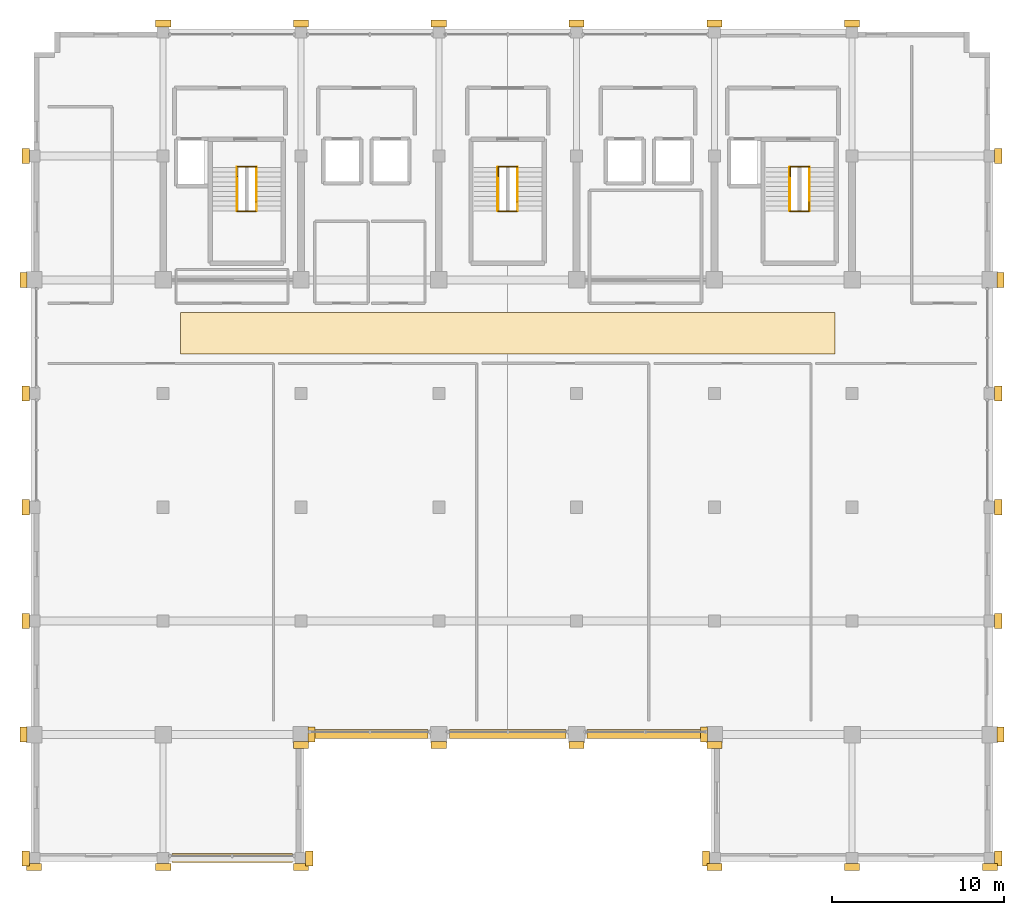
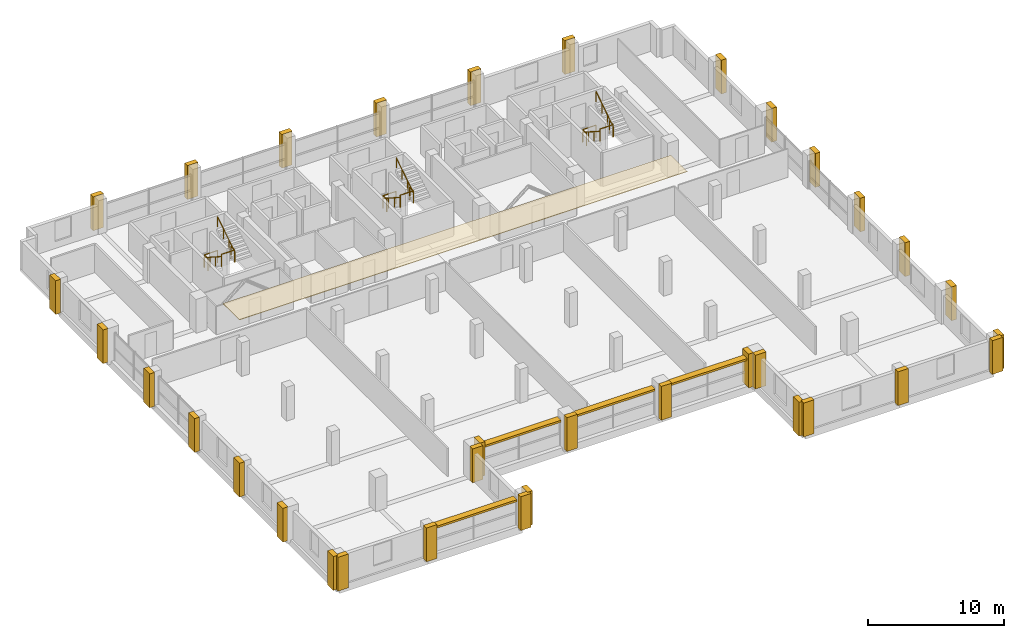
# One storey, part 25 of 25: 35 coverings, 12 railings, 4 shading devices.
"""IFC4 building model written with IfcOpenShell, lengths in metres."""

from ifc_helpers import new_model, si_unit, direction, frame, origin, origin_2d, place, context, subcontext, project, spatial, rectangle, circle, extrude, material, layer, layer_set, type_object, element, save


model = new_model("IFC4")

# Units and contexts
model_context = context("Model", 3, precision=1e-05, world=origin(), true_north=direction((0.0, 1.0)))
body_context = subcontext(model_context, "Body", "Model", "MODEL_VIEW")
ifc_project = project(units=[si_unit("LENGTHUNIT", "METRE"), si_unit("AREAUNIT", "SQUARE_METRE"), si_unit("VOLUMEUNIT", "CUBIC_METRE"), si_unit("PLANEANGLEUNIT", "RADIAN"), si_unit("MASSUNIT", "GRAM", prefix="KILO")], contexts=[model_context])

# Site, building, storey
site_placement = place(None, origin())
site = spatial("IfcSite", under=ifc_project, at=site_placement, CompositionType="ELEMENT")
building_placement = place(site_placement, origin())
building = spatial("IfcBuilding", under=site, at=building_placement, Name="Akrevak Sports Hall", CompositionType="ELEMENT")
storey_placement = place(building_placement, frame((0.0, 0.0, 50.300048828125)))
storey = spatial("IfcBuildingStorey", under=building, at=storey_placement, Name="L12", CompositionType="ELEMENT", Elevation=50.300048828125)

# Coverings
ifc_material_1 = material(Name="Acoustic Timber Slatted Baffle Ceiling", Category="wood")
ifc_layer_1 = layer(ifc_material_1, 0.050048828125, Name="Acoustic Timber Slatted Baffle Ceiling")
ifc_layer_set_1 = layer_set([ifc_layer_1], Name="Acoustic Timber Slatted Baffle Ceiling")
covering_type_1 = type_object("IfcCoveringType", Name="ARC-COV-CLG-BAFF", PredefinedType="CEILING", material=ifc_layer_set_1)
covering_placement = place(storey_placement, frame((80.0, 52.10009765625, 2.97998046875), z_axis=(0.0, 0.0, 1.0), x_axis=(1.0, 0.0, 0.0)))
element("IfcCovering", 1, at=covering_placement, inside=storey, type_object=covering_type_1, Name="Corridor Acoustic Ceiling L12", PredefinedType="CEILING", context=body_context, shape_type="SweptSolid", body=[
    extrude(rectangle(XDim=38.0, YDim=2.39990234375, at=origin_2d()), origin(), (0.0, 0.0, 1.0), 0.050048828125),
])
ifc_material_2 = material(Name="Limestone Ashlar", Category="stone")
ifc_layer_2 = layer(ifc_material_2, 0.47998046875, Name="Limestone Ashlar")
ifc_layer_set_2 = layer_set([ifc_layer_2], Name="Limestone Ashlar")
covering_type_2 = type_object("IfcCoveringType", Name="ARC-COV-PIL-LIM", PredefinedType="CLADDING", material=ifc_layer_set_2)
for number, where, z_axis, x_axis, name in (
    (2, (52.5, 21.1201171875, 0.0), (0.0, 0.0, 1.0), (1.0, 0.0, 0.0), "Giant-Order Limestone Pilaster L12-01-01"),
    (3, (60.0, 21.1201171875, 0.0), (0.0, 0.0, 1.0), (1.0, 0.0, 0.0), "Giant-Order Limestone Pilaster L12-01-02"),
    (4, (68.0, 21.1201171875, 0.0), (0.0, 0.0, 1.0), (1.0, 0.0, 0.0), "Giant-Order Limestone Pilaster L12-01-03"),
    (5, (68.47998046875, 21.60009765625, 0.0), (0.0, 0.0, 1.0), (0.0, 1.0, 0.0), "Giant-Order Limestone Pilaster L12-02-03"),
    (6, (68.60498046875, 28.800048828125, 0.0), (0.0, 0.0, 1.0), (0.0, 1.0, 0.0), "Giant-Order Limestone Pilaster L12-02-04"),
    (7, (68.0, 28.195068359375, 0.0), (0.0, 0.0, 1.0), (1.0, 0.0, 0.0), "Giant-Order Limestone Pilaster L12-03-04"),
    (8, (76.0, 28.195068359375, 0.0), (0.0, 0.0, 1.0), (1.0, 0.0, 0.0), "Giant-Order Limestone Pilaster L12-03-05"),
    (9, (84.0, 28.195068359375, 0.0), (0.0, 0.0, 1.0), (1.0, 0.0, 0.0), "Giant-Order Limestone Pilaster L12-03-06"),
    (10, (92.0, 28.195068359375, 0.0), (0.0, 0.0, 1.0), (1.0, 0.0, 0.0), "Giant-Order Limestone Pilaster L12-03-07"),
    (11, (91.52001953125, 21.60009765625, 0.0), (0.0, 0.0, 1.0), (0.0, -1.0, 0.0), "Giant-Order Limestone Pilaster L12-04-08"),
    (12, (91.39501953125, 28.800048828125, 0.0), (0.0, 0.0, 1.0), (0.0, -1.0, 0.0), "Giant-Order Limestone Pilaster L12-04-08"),
    (13, (92.0, 21.1201171875, 0.0), (0.0, 0.0, 1.0), (1.0, 0.0, 0.0), "Giant-Order Limestone Pilaster L12-05-08"),
    (14, (100.0, 21.1201171875, 0.0), (0.0, 0.0, 1.0), (1.0, 0.0, 0.0), "Giant-Order Limestone Pilaster L12-05-09"),
    (15, (108.0, 21.1201171875, 0.0), (0.0, 0.0, 1.0), (1.0, 0.0, 0.0), "Giant-Order Limestone Pilaster L12-05-10"),
    (16, (108.47998046875, 21.60009765625, 0.0), (0.0, 0.0, 1.0), (0.0, 1.0, 0.0), "Giant-Order Limestone Pilaster L12-06-10"),
    (17, (108.60498046875, 28.800048828125, 0.0), (0.0, 0.0, 1.0), (0.0, 1.0, 0.0), "Giant-Order Limestone Pilaster L12-06-11"),
    (18, (108.47998046875, 35.39990234375, 0.0), (0.0, 0.0, 1.0), (0.0, 1.0, 0.0), "Giant-Order Limestone Pilaster L12-06-12"),
    (19, (108.47998046875, 42.0, 0.0), (0.0, 0.0, 1.0), (0.0, 1.0, 0.0), "Giant-Order Limestone Pilaster L12-06-13"),
    (20, (108.47998046875, 48.60009765625, 0.0), (0.0, 0.0, 1.0), (0.0, 1.0, 0.0), "Giant-Order Limestone Pilaster L12-06-14"),
    (21, (108.60498046875, 55.199951171875, 0.0), (0.0, 0.0, 1.0), (0.0, 1.0, 0.0), "Giant-Order Limestone Pilaster L12-06-15"),
    (22, (108.47998046875, 62.39990234375, 0.0), (0.0, 0.0, 1.0), (0.0, 1.0, 0.0), "Giant-Order Limestone Pilaster L12-06-16"),
    (23, (60.0, 70.080078125, 0.0), (0.0, 0.0, 1.0), (-1.0, 0.0, 0.0), "Giant-Order Limestone Pilaster L12-09-17"),
    (24, (68.0, 70.080078125, 0.0), (0.0, 0.0, 1.0), (-1.0, 0.0, 0.0), "Giant-Order Limestone Pilaster L12-09-18"),
    (25, (76.0, 70.080078125, 0.0), (0.0, 0.0, 1.0), (-1.0, 0.0, 0.0), "Giant-Order Limestone Pilaster L12-09-19"),
    (26, (84.0, 70.080078125, 0.0), (0.0, 0.0, 1.0), (-1.0, 0.0, 0.0), "Giant-Order Limestone Pilaster L12-09-20"),
    (27, (92.0, 70.080078125, 0.0), (0.0, 0.0, 1.0), (-1.0, 0.0, 0.0), "Giant-Order Limestone Pilaster L12-09-21"),
    (28, (100.0, 70.080078125, 0.0), (0.0, 0.0, 1.0), (-1.0, 0.0, 0.0), "Giant-Order Limestone Pilaster L12-09-22"),
    (29, (52.02001953125, 21.60009765625, 0.0), (0.0, 0.0, 1.0), (0.0, -1.0, 0.0), "Giant-Order Limestone Pilaster L12-12-22"),
    (30, (51.89501953125, 28.800048828125, 0.0), (0.0, 0.0, 1.0), (0.0, -1.0, 0.0), "Giant-Order Limestone Pilaster L12-12-23"),
    (31, (52.02001953125, 35.39990234375, 0.0), (0.0, 0.0, 1.0), (0.0, -1.0, 0.0), "Giant-Order Limestone Pilaster L12-12-24"),
    (32, (52.02001953125, 42.0, 0.0), (0.0, 0.0, 1.0), (0.0, -1.0, 0.0), "Giant-Order Limestone Pilaster L12-12-25"),
    (33, (52.02001953125, 48.60009765625, 0.0), (0.0, 0.0, 1.0), (0.0, -1.0, 0.0), "Giant-Order Limestone Pilaster L12-12-26"),
    (34, (51.89501953125, 55.199951171875, 0.0), (0.0, 0.0, 1.0), (0.0, -1.0, 0.0), "Giant-Order Limestone Pilaster L12-12-27"),
    (35, (52.02001953125, 62.39990234375, 0.0), (0.0, 0.0, 1.0), (0.0, -1.0, 0.0), "Giant-Order Limestone Pilaster L12-12-28"),
):
    element("IfcCovering", number, at=place(storey_placement, frame(where, z_axis=z_axis, x_axis=x_axis)), inside=storey, type_object=covering_type_2, Name=name, PredefinedType="CLADDING", context=body_context, shape_type="SweptSolid", body=[
        extrude(rectangle(XDim=0.8798828125, YDim=0.419921875, at=origin_2d()), origin(), (0.0, 0.0, 1.0), 3.030029296875),
    ])

# Railings
ifc_material_3 = material(Name="Painted Architectural Balustrade Steel", Category="steel")
ifc_layer_3 = layer(ifc_material_3, 0.06005859375, Name="Painted Architectural Balustrade Steel")
ifc_layer_set_3 = layer_set([ifc_layer_3], Name="Painted Architectural Balustrade Steel")
railing_type_1 = type_object("IfcRailingType", Name="ARC-RL-GRD-1120", PredefinedType="GUARDRAIL", material=ifc_layer_set_3)
railing_1_placement = place(storey_placement, frame((64.31005859375, 61.215087890625, 0.0)))
element("IfcRailing", 36, at=railing_1_placement, inside=storey, type_object=railing_type_1, Name="Stair Floor Landing Well Guard ST1 (L12)", PredefinedType="GUARDRAIL", context=body_context, shape_type="SweptSolid", body=[
    extrude(circle(Radius=0.02392578125, at=origin_2d()), frame((0.0, 0.0, 1.09619140625), z_axis=(0.0, 1.0, 0.0), x_axis=(-1.0, 0.0, 0.0)), (0.0, 0.0, 1.0), 0.5498046875),
    extrude(circle(Radius=0.02392578125, at=origin_2d()), frame((0.0, 0.5498046875, 1.09619140625), z_axis=(1.0, 0.0, 0.0), x_axis=(0.0, 1.0, 0.0)), (0.0, 0.0, 1.0), 1.10986328125),
    extrude(circle(Radius=0.02099609375, at=origin_2d()), origin(), (0.0, 0.0, 1.0), 1.072021484375),
    extrude(circle(Radius=0.02099609375, at=origin_2d()), frame((0.0, 0.5498046875, 0.0)), (0.0, 0.0, 1.0), 1.072021484375),
    extrude(circle(Radius=0.02099609375, at=origin_2d()), frame((1.10986328125, 0.5498046875, 0.0)), (0.0, 0.0, 1.0), 1.072021484375),
])
railing_2_placement = place(storey_placement, frame((64.280029296875, 59.18505859375, 1.625)))
element("IfcRailing", 37, at=railing_2_placement, inside=storey, type_object=railing_type_1, Name="Stair Landing Well Guard ST1-L12-1", PredefinedType="GUARDRAIL", context=body_context, shape_type="SweptSolid", body=[
    extrude(circle(Radius=0.02392578125, at=origin_2d()), frame((0.0, 0.0, 1.09619140625), z_axis=(1.0, 0.0, 0.0), x_axis=(0.0, 1.0, 0.0)), (0.0, 0.0, 1.0), 1.10986328125),
    extrude(circle(Radius=0.02392578125, at=origin_2d()), frame((1.10986328125, 0.0, 1.09619140625), z_axis=(0.0, 1.0, 0.0), x_axis=(-1.0, 0.0, 0.0)), (0.0, 0.0, 1.0), 0.52001953125),
    extrude(circle(Radius=0.02099609375, at=origin_2d()), origin(), (0.0, 0.0, 1.0), 1.072021484375),
    extrude(circle(Radius=0.02099609375, at=origin_2d()), frame((1.10986328125, 0.0, 0.0)), (0.0, 0.0, 1.0), 1.072021484375),
    extrude(circle(Radius=0.02099609375, at=origin_2d()), frame((1.10986328125, 0.52001953125, 0.0)), (0.0, 0.0, 1.0), 1.072021484375),
])
railing_3_placement = place(storey_placement, frame((96.409912109375, 61.215087890625, 0.0)))
element("IfcRailing", 38, at=railing_3_placement, inside=storey, type_object=railing_type_1, Name="Stair Floor Landing Well Guard ST2 (L12)", PredefinedType="GUARDRAIL", context=body_context, shape_type="SweptSolid", body=[
    extrude(circle(Radius=0.02392578125, at=origin_2d()), frame((0.0, 0.0, 1.09619140625), z_axis=(0.0, 1.0, 0.0), x_axis=(-1.0, 0.0, 0.0)), (0.0, 0.0, 1.0), 0.5498046875),
    extrude(circle(Radius=0.02392578125, at=origin_2d()), frame((0.0, 0.5498046875, 1.09619140625), z_axis=(1.0, 0.0, 0.0), x_axis=(0.0, 1.0, 0.0)), (0.0, 0.0, 1.0), 1.110107421875),
    extrude(circle(Radius=0.02099609375, at=origin_2d()), origin(), (0.0, 0.0, 1.0), 1.072021484375),
    extrude(circle(Radius=0.02099609375, at=origin_2d()), frame((0.0, 0.5498046875, 0.0)), (0.0, 0.0, 1.0), 1.072021484375),
    extrude(circle(Radius=0.02099609375, at=origin_2d()), frame((1.110107421875, 0.5498046875, 0.0)), (0.0, 0.0, 1.0), 1.072021484375),
])
railing_4_placement = place(storey_placement, frame((96.3798828125, 59.18505859375, 1.625)))
element("IfcRailing", 39, at=railing_4_placement, inside=storey, type_object=railing_type_1, Name="Stair Landing Well Guard ST2-L12-1", PredefinedType="GUARDRAIL", context=body_context, shape_type="SweptSolid", body=[
    extrude(circle(Radius=0.02392578125, at=origin_2d()), frame((0.0, 0.0, 1.09619140625), z_axis=(1.0, 0.0, 0.0), x_axis=(0.0, 1.0, 0.0)), (0.0, 0.0, 1.0), 1.110107421875),
    extrude(circle(Radius=0.02392578125, at=origin_2d()), frame((1.110107421875, 0.0, 1.09619140625), z_axis=(0.0, 1.0, 0.0), x_axis=(-1.0, 0.0, 0.0)), (0.0, 0.0, 1.0), 0.52001953125),
    extrude(circle(Radius=0.02099609375, at=origin_2d()), origin(), (0.0, 0.0, 1.0), 1.072021484375),
    extrude(circle(Radius=0.02099609375, at=origin_2d()), frame((1.110107421875, 0.0, 0.0)), (0.0, 0.0, 1.0), 1.072021484375),
    extrude(circle(Radius=0.02099609375, at=origin_2d()), frame((1.110107421875, 0.52001953125, 0.0)), (0.0, 0.0, 1.0), 1.072021484375),
])
railing_5_placement = place(storey_placement, frame((79.4599609375, 61.215087890625, 0.0)))
element("IfcRailing", 40, at=railing_5_placement, inside=storey, type_object=railing_type_1, Name="Stair Floor Landing Well Guard ST3 (L12)", PredefinedType="GUARDRAIL", context=body_context, shape_type="SweptSolid", body=[
    extrude(circle(Radius=0.02392578125, at=origin_2d()), frame((0.0, 0.0, 1.09619140625), z_axis=(0.0, 1.0, 0.0), x_axis=(-1.0, 0.0, 0.0)), (0.0, 0.0, 1.0), 0.5498046875),
    extrude(circle(Radius=0.02392578125, at=origin_2d()), frame((0.0, 0.5498046875, 1.09619140625), z_axis=(1.0, 0.0, 0.0), x_axis=(0.0, 1.0, 0.0)), (0.0, 0.0, 1.0), 1.110107421875),
    extrude(circle(Radius=0.02099609375, at=origin_2d()), origin(), (0.0, 0.0, 1.0), 1.072021484375),
    extrude(circle(Radius=0.02099609375, at=origin_2d()), frame((0.0, 0.5498046875, 0.0)), (0.0, 0.0, 1.0), 1.072021484375),
    extrude(circle(Radius=0.02099609375, at=origin_2d()), frame((1.110107421875, 0.5498046875, 0.0)), (0.0, 0.0, 1.0), 1.072021484375),
])
railing_6_placement = place(storey_placement, frame((79.429931640625, 59.18505859375, 1.625)))
element("IfcRailing", 41, at=railing_6_placement, inside=storey, type_object=railing_type_1, Name="Stair Landing Well Guard ST3-L12-1", PredefinedType="GUARDRAIL", context=body_context, shape_type="SweptSolid", body=[
    extrude(circle(Radius=0.02392578125, at=origin_2d()), frame((0.0, 0.0, 1.09619140625), z_axis=(1.0, 0.0, 0.0), x_axis=(0.0, 1.0, 0.0)), (0.0, 0.0, 1.0), 1.110107421875),
    extrude(circle(Radius=0.02392578125, at=origin_2d()), frame((1.110107421875, 0.0, 1.09619140625), z_axis=(0.0, 1.0, 0.0), x_axis=(-1.0, 0.0, 0.0)), (0.0, 0.0, 1.0), 0.52001953125),
    extrude(circle(Radius=0.02099609375, at=origin_2d()), origin(), (0.0, 0.0, 1.0), 1.072021484375),
    extrude(circle(Radius=0.02099609375, at=origin_2d()), frame((1.110107421875, 0.0, 0.0)), (0.0, 0.0, 1.0), 1.072021484375),
    extrude(circle(Radius=0.02099609375, at=origin_2d()), frame((1.110107421875, 0.52001953125, 0.0)), (0.0, 0.0, 1.0), 1.072021484375),
])
ifc_material_4 = material(Name="Brushed Stainless Steel 304", Category="steel")
ifc_layer_4 = layer(ifc_material_4, 0.050048828125, Name="Brushed Stainless Steel 304")
ifc_layer_set_4 = layer_set([ifc_layer_4], Name="Brushed Stainless Steel 304")
railing_type_2 = type_object("IfcRailingType", Name="ARC-RL-HND-900", PredefinedType="HANDRAIL", material=ifc_layer_set_4)
railing_7_placement = place(storey_placement, frame((64.280029296875, 61.735107421875, 0.0)))
element("IfcRailing", 42, at=railing_7_placement, inside=storey, type_object=railing_type_2, Name="Stair Handrail ST1-L12-F1", PredefinedType="HANDRAIL", context=body_context, shape_type="SweptSolid", body=[
    extrude(circle(Radius=0.02392578125, at=origin_2d()), frame((0.0, 0.0, 0.8759765625), z_axis=(0.0, -0.840421059866, 0.541933983188), x_axis=(1.0, 0.0, 0.0)), (0.0, 0.0, 1.0), 2.99853515625),
    extrude(circle(Radius=0.02099609375, at=origin_2d()), origin(), (0.0, 0.0, 1.0), 0.851806640625),
    extrude(circle(Radius=0.02099609375, at=origin_2d()), frame((0.0, -0.840087890625, 0.541748046875)), (0.0, 0.0, 1.0), 0.851806640625),
    extrude(circle(Radius=0.02099609375, at=origin_2d()), frame((0.0, -1.679931640625, 1.083251953125)), (0.0, 0.0, 1.0), 0.851806640625),
    extrude(circle(Radius=0.02099609375, at=origin_2d()), frame((0.0, -2.52001953125, 1.625)), (0.0, 0.0, 1.0), 0.851806640625),
])
railing_8_placement = place(storey_placement, frame((65.419921875, 59.215087890625, 1.625)))
element("IfcRailing", 43, at=railing_8_placement, inside=storey, type_object=railing_type_2, Name="Stair Handrail ST1-L12-F2", PredefinedType="HANDRAIL", context=body_context, shape_type="SweptSolid", body=[
    extrude(circle(Radius=0.02392578125, at=origin_2d()), frame((0.0, 0.0, 0.8759765625), z_axis=(0.0, 0.840421059866, 0.541933983188), x_axis=(-1.0, 0.0, 0.0)), (0.0, 0.0, 1.0), 2.99853515625),
    extrude(circle(Radius=0.02099609375, at=origin_2d()), origin(), (0.0, 0.0, 1.0), 0.851806640625),
    extrude(circle(Radius=0.02099609375, at=origin_2d()), frame((0.0, 0.840087890625, 0.541748046875)), (0.0, 0.0, 1.0), 0.851806640625),
    extrude(circle(Radius=0.02099609375, at=origin_2d()), frame((0.0, 1.679931640625, 1.083251953125)), (0.0, 0.0, 1.0), 0.851806640625),
    extrude(circle(Radius=0.02099609375, at=origin_2d()), frame((0.0, 2.52001953125, 1.625)), (0.0, 0.0, 1.0), 0.851806640625),
])
railing_9_placement = place(storey_placement, frame((96.3798828125, 61.735107421875, 0.0)))
element("IfcRailing", 44, at=railing_9_placement, inside=storey, type_object=railing_type_2, Name="Stair Handrail ST2-L12-F1", PredefinedType="HANDRAIL", context=body_context, shape_type="SweptSolid", body=[
    extrude(circle(Radius=0.02392578125, at=origin_2d()), frame((0.0, 0.0, 0.8759765625), z_axis=(0.0, -0.840421059866, 0.541933983188), x_axis=(1.0, 0.0, 0.0)), (0.0, 0.0, 1.0), 2.99853515625),
    extrude(circle(Radius=0.02099609375, at=origin_2d()), origin(), (0.0, 0.0, 1.0), 0.851806640625),
    extrude(circle(Radius=0.02099609375, at=origin_2d()), frame((0.0, -0.840087890625, 0.541748046875)), (0.0, 0.0, 1.0), 0.851806640625),
    extrude(circle(Radius=0.02099609375, at=origin_2d()), frame((0.0, -1.679931640625, 1.083251953125)), (0.0, 0.0, 1.0), 0.851806640625),
    extrude(circle(Radius=0.02099609375, at=origin_2d()), frame((0.0, -2.52001953125, 1.625)), (0.0, 0.0, 1.0), 0.851806640625),
])
railing_10_placement = place(storey_placement, frame((97.52001953125, 59.215087890625, 1.625)))
element("IfcRailing", 45, at=railing_10_placement, inside=storey, type_object=railing_type_2, Name="Stair Handrail ST2-L12-F2", PredefinedType="HANDRAIL", context=body_context, shape_type="SweptSolid", body=[
    extrude(circle(Radius=0.02392578125, at=origin_2d()), frame((0.0, 0.0, 0.8759765625), z_axis=(0.0, 0.840421059866, 0.541933983188), x_axis=(-1.0, 0.0, 0.0)), (0.0, 0.0, 1.0), 2.99853515625),
    extrude(circle(Radius=0.02099609375, at=origin_2d()), origin(), (0.0, 0.0, 1.0), 0.851806640625),
    extrude(circle(Radius=0.02099609375, at=origin_2d()), frame((0.0, 0.840087890625, 0.541748046875)), (0.0, 0.0, 1.0), 0.851806640625),
    extrude(circle(Radius=0.02099609375, at=origin_2d()), frame((0.0, 1.679931640625, 1.083251953125)), (0.0, 0.0, 1.0), 0.851806640625),
    extrude(circle(Radius=0.02099609375, at=origin_2d()), frame((0.0, 2.52001953125, 1.625)), (0.0, 0.0, 1.0), 0.851806640625),
])
railing_11_placement = place(storey_placement, frame((79.429931640625, 61.735107421875, 0.0)))
element("IfcRailing", 46, at=railing_11_placement, inside=storey, type_object=railing_type_2, Name="Stair Handrail ST3-L12-F1", PredefinedType="HANDRAIL", context=body_context, shape_type="SweptSolid", body=[
    extrude(circle(Radius=0.02392578125, at=origin_2d()), frame((0.0, 0.0, 0.8759765625), z_axis=(0.0, -0.840421059866, 0.541933983188), x_axis=(1.0, 0.0, 0.0)), (0.0, 0.0, 1.0), 2.99853515625),
    extrude(circle(Radius=0.02099609375, at=origin_2d()), origin(), (0.0, 0.0, 1.0), 0.851806640625),
    extrude(circle(Radius=0.02099609375, at=origin_2d()), frame((0.0, -0.840087890625, 0.541748046875)), (0.0, 0.0, 1.0), 0.851806640625),
    extrude(circle(Radius=0.02099609375, at=origin_2d()), frame((0.0, -1.679931640625, 1.083251953125)), (0.0, 0.0, 1.0), 0.851806640625),
    extrude(circle(Radius=0.02099609375, at=origin_2d()), frame((0.0, -2.52001953125, 1.625)), (0.0, 0.0, 1.0), 0.851806640625),
])
railing_12_placement = place(storey_placement, frame((80.570068359375, 59.215087890625, 1.625)))
element("IfcRailing", 47, at=railing_12_placement, inside=storey, type_object=railing_type_2, Name="Stair Handrail ST3-L12-F2", PredefinedType="HANDRAIL", context=body_context, shape_type="SweptSolid", body=[
    extrude(circle(Radius=0.02392578125, at=origin_2d()), frame((0.0, 0.0, 0.8759765625), z_axis=(0.0, 0.840421059866, 0.541933983188), x_axis=(-1.0, 0.0, 0.0)), (0.0, 0.0, 1.0), 2.99853515625),
    extrude(circle(Radius=0.02099609375, at=origin_2d()), origin(), (0.0, 0.0, 1.0), 0.851806640625),
    extrude(circle(Radius=0.02099609375, at=origin_2d()), frame((0.0, 0.840087890625, 0.541748046875)), (0.0, 0.0, 1.0), 0.851806640625),
    extrude(circle(Radius=0.02099609375, at=origin_2d()), frame((0.0, 1.679931640625, 1.083251953125)), (0.0, 0.0, 1.0), 0.851806640625),
    extrude(circle(Radius=0.02099609375, at=origin_2d()), frame((0.0, 2.52001953125, 1.625)), (0.0, 0.0, 1.0), 0.851806640625),
])

# Shading devices
ifc_material_5 = material(Name="Anodized Bronze Aluminium", Category="aluminium")
shading_device_type = type_object("IfcShadingDeviceType", Name="ARC-SHD-BRZ-300", PredefinedType="JALOUSIE", material=ifc_material_5)
shading_device_placement = place(storey_placement, frame((64.0, 21.639892578125, 2.33984375), z_axis=(0.0, 0.0, 1.0), x_axis=(1.0, 0.0, 0.0)))
element("IfcShadingDevice", 48, at=shading_device_placement, inside=storey, type_object=shading_device_type, Name="Tower Bronze Louvre SH-23", PredefinedType="JALOUSIE", context=body_context, shape_type="SweptSolid", body=[
    extrude(rectangle(XDim=7.008056640625, YDim=0.5400390625, at=origin_2d()), origin(), (0.0, 0.0, 1.0), 0.179931640625),
])
for number, where, z_axis, x_axis, name in (
    (49, (72.0, 28.840087890625, 2.33984375), (0.0, 0.0, 1.0), (1.0, 0.0, 0.0), "Tower Bronze Louvre SH-24"),
    (50, (80.0, 28.840087890625, 2.33984375), (0.0, 0.0, 1.0), (1.0, 0.0, 0.0), "Tower Bronze Louvre SH-25"),
    (51, (88.0, 28.840087890625, 2.33984375), (0.0, 0.0, 1.0), (1.0, 0.0, 0.0), "Tower Bronze Louvre SH-26"),
):
    element("IfcShadingDevice", number, at=place(storey_placement, frame(where, z_axis=z_axis, x_axis=x_axis)), inside=storey, type_object=shading_device_type, Name=name, PredefinedType="JALOUSIE", context=body_context, shape_type="SweptSolid", body=[
        extrude(rectangle(XDim=6.76806640625, YDim=0.5400390625, at=origin_2d()), origin(), (0.0, 0.0, 1.0), 0.179931640625),
    ])

save(model, "model.ifc")
